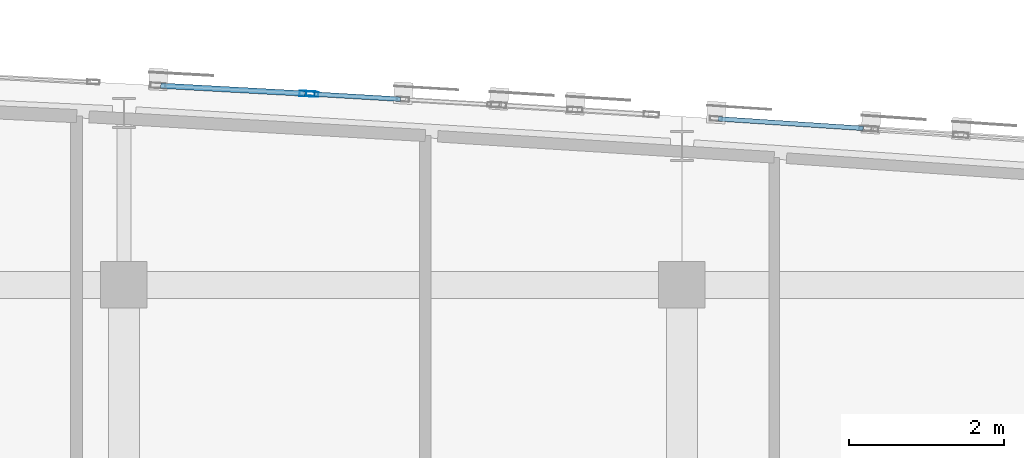
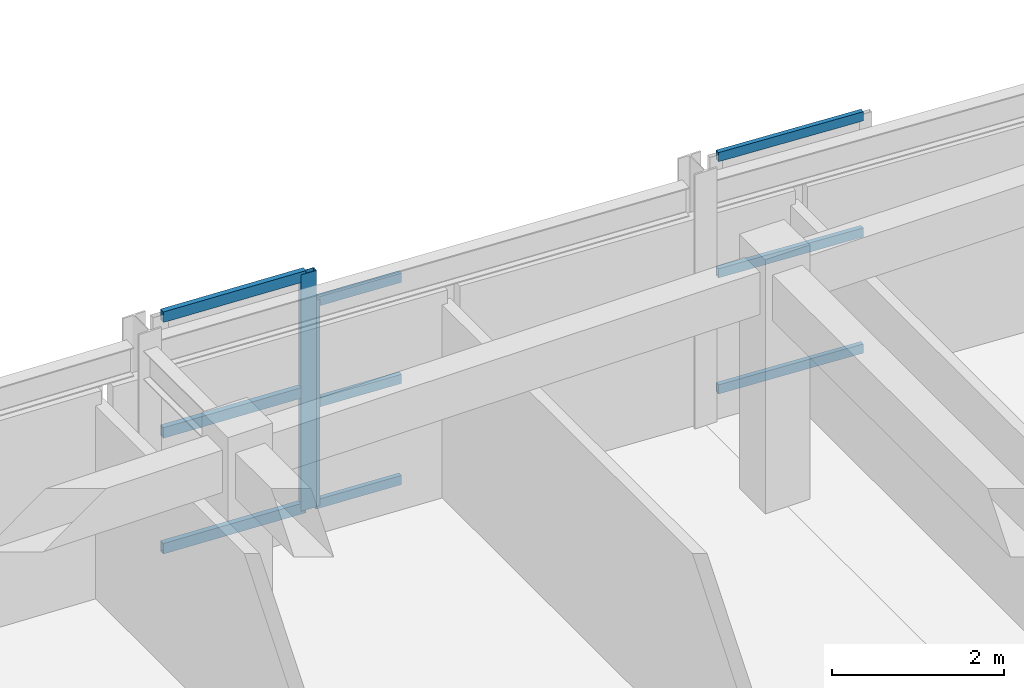
# One storey, part 23 of 50: 11 members, 3 elements without a shape of their own.
"""IFC4 building model written with IfcOpenShell, lengths in metres."""

from ifc_helpers import new_model, si_unit, direction, frame, origin, origin_2d, place, context, subcontext, project, spatial, hollow_rectangle, extrude, material, layer, layer_set, material_profile, profile_set, type_object, element, aggregate, save


model = new_model("IFC4")

# Units and contexts
model_context = context("Model", 3, precision=1e-05, world=origin(), true_north=direction((0.0, 1.0)))
body_context = subcontext(model_context, "Body", "Model", "MODEL_VIEW")
ifc_project = project(units=[si_unit("LENGTHUNIT", "METRE"), si_unit("AREAUNIT", "SQUARE_METRE"), si_unit("VOLUMEUNIT", "CUBIC_METRE"), si_unit("PLANEANGLEUNIT", "RADIAN"), si_unit("MASSUNIT", "GRAM", prefix="KILO")], contexts=[model_context])

# Site, building, storey
site_placement = place(None, origin())
site = spatial("IfcSite", under=ifc_project, at=site_placement, CompositionType="ELEMENT")
building_placement = place(site_placement, origin())
building = spatial("IfcBuilding", under=site, at=building_placement, Name="Carrowvane Square Congress Hotel", CompositionType="ELEMENT")
storey_placement = place(building_placement, frame((0.0, 0.0, 22.800048828125)))
storey = spatial("IfcBuildingStorey", under=building, at=storey_placement, Name="L05", CompositionType="ELEMENT", Elevation=22.800048828125)

# Curtain wall, member
ifc_material_1 = material(Name="Anodised aluminium", Category="aluminium")
ifc_layer_1 = layer(ifc_material_1, 0.23388671875)
ifc_layer_set_1 = layer_set([ifc_layer_1], Name="Anodised aluminium")
curtain_wall_type_1 = type_object("IfcCurtainWallType", Name="CW-SYS-7", PredefinedType="NOTDEFINED", material=ifc_layer_set_1)
curtain_wall_1_placement = place(storey_placement, origin())
curtain_wall_1 = element("IfcCurtainWall", 1, at=curtain_wall_1_placement, inside=storey, type_object=curtain_wall_type_1, Name="L05 unitised curtain wall 342", PredefinedType="NOTDEFINED")
ifc_material_2 = material(Name="Anodised aluminium", Category="aluminium")
ifc_material_profile_1 = material_profile(ifc_material_2, hollow_rectangle(XDim=0.06005859375, YDim=0.159912109375, WallThickness=0.00390625, at=origin_2d()), Name="CW-ML 60x160x4")
ifc_profile_set_1 = profile_set([ifc_material_profile_1], Name="Anodised aluminium")
member_type_1 = type_object("IfcMemberType", Name="CW-MUL-1", PredefinedType="MULLION", material=ifc_profile_set_1)
member_1_placement = place(storey_placement, frame((122.030029296875, 115.864013671875, 0.0), z_axis=(0.0, 0.0, 1.0), x_axis=(0.058851249486, 0.998266763162, 0.0)))
member_1 = element("IfcMember", 2, at=member_1_placement, type_object=member_type_1, Name="CW-7 mullion 1", PredefinedType="MULLION", context=body_context, shape_type="SweptSolid", body=[
    extrude(hollow_rectangle(XDim=0.06005859375, YDim=0.159912109375, WallThickness=0.00390625, at=origin_2d()), origin(), (0.0, 0.0, 1.0), 2.925537109375),
])

ifc_material_3 = material(Name="Anodised aluminium", Category="aluminium")
ifc_layer_2 = layer(ifc_material_3, 0.221923828125)
ifc_layer_set_2 = layer_set([ifc_layer_2], Name="Anodised aluminium")
curtain_wall_type_2 = type_object("IfcCurtainWallType", Name="CW-SYS-6", PredefinedType="NOTDEFINED", material=ifc_layer_set_2)
curtain_wall_2_placement = place(storey_placement, origin())
curtain_wall_2 = element("IfcCurtainWall", 3, at=curtain_wall_2_placement, inside=storey, type_object=curtain_wall_type_2, Name="L05 unitised curtain wall 341", PredefinedType="NOTDEFINED")
ifc_material_4 = material(Name="Anodised aluminium", Category="aluminium")
ifc_material_profile_2 = material_profile(ifc_material_4, hollow_rectangle(XDim=0.070068359375, YDim=0.199951171875, WallThickness=0.0048828125, at=origin_2d()), Name="CW-ML 70x200x5")
ifc_profile_set_2 = profile_set([ifc_material_profile_2], Name="Anodised aluminium")
member_type_2 = type_object("IfcMemberType", Name="CW-MUL-2", PredefinedType="MULLION", material=ifc_profile_set_2)
member_2_placement = place(storey_placement, frame((121.965087890625, 115.86767578125, 0.0), z_axis=(0.0, 0.0, 1.0), x_axis=(0.054815980317, 0.998496473856, 0.0)))
member_2 = element("IfcMember", 4, at=member_2_placement, type_object=member_type_2, Name="CW-6 mullion 2", PredefinedType="MULLION", context=body_context, shape_type="SweptSolid", body=[
    extrude(hollow_rectangle(XDim=0.070068359375, YDim=0.199951171875, WallThickness=0.0048828125, at=origin_2d()), origin(), (0.0, 0.0, 1.0), 3.349853515625),
])

# Member
ifc_material_5 = material(Name="Anodised aluminium", Category="aluminium")
ifc_material_profile_3 = material_profile(ifc_material_5, hollow_rectangle(XDim=0.06005859375, YDim=0.1298828125, WallThickness=0.00390625, at=origin_2d()), Name="CW-TR 60x130x4")
ifc_profile_set_3 = profile_set([ifc_material_profile_3], Name="Anodised aluminium")
member_type_3 = type_object("IfcMemberType", Name="CW-TRN-1", PredefinedType="USERDEFINED", material=ifc_profile_set_3)
member_3_placement = place(storey_placement, frame((122.059814453125, 115.8623046875, 0.030029296875), z_axis=(0.998268312803, -0.058824957747, 0.0), x_axis=(0.058824957747, 0.998268312803, 0.0)))
member_3 = element("IfcMember", 5, at=member_3_placement, type_object=member_type_3, Name="CW-7 transom 1.1", ObjectType="TRANSOM", PredefinedType="USERDEFINED", context=body_context, shape_type="SweptSolid", body=[
    extrude(hollow_rectangle(XDim=0.06005859375, YDim=0.1298828125, WallThickness=0.00390625, at=origin_2d()), origin(), (0.0, 0.0, 1.0), 1.1123046875),
])

member_4_placement = place(storey_placement, frame((122.059814453125, 115.8623046875, 1.462646484375), z_axis=(0.998268312803, -0.058824957747, 0.0), x_axis=(0.058824957747, 0.998268312803, 0.0)))
member_4 = element("IfcMember", 6, at=member_4_placement, type_object=member_type_3, Name="CW-7 transom 1.2", ObjectType="TRANSOM", PredefinedType="USERDEFINED", context=body_context, shape_type="SweptSolid", body=[
    extrude(hollow_rectangle(XDim=0.06005859375, YDim=0.1298828125, WallThickness=0.00390625, at=origin_2d()), origin(), (0.0, 0.0, 1.0), 1.1123046875),
])

member_5_placement = place(storey_placement, frame((122.059814453125, 115.8623046875, 2.8955078125), z_axis=(0.998268312803, -0.058824957747, 0.0), x_axis=(0.058824957747, 0.998268312803, 0.0)))
member_5 = element("IfcMember", 7, at=member_5_placement, type_object=member_type_3, Name="CW-7 transom 1.3", ObjectType="TRANSOM", PredefinedType="USERDEFINED", context=body_context, shape_type="SweptSolid", body=[
    extrude(hollow_rectangle(XDim=0.06005859375, YDim=0.1298828125, WallThickness=0.00390625, at=origin_2d()), origin(), (0.0, 0.0, 1.0), 1.1123046875),
])

aggregate(curtain_wall_1, [member_1, member_3, member_4, member_5])

# Curtain wall, members
ifc_material_6 = material(Name="Anodised aluminium", Category="aluminium")
ifc_layer_3 = layer(ifc_material_6, 0.162109375)
ifc_layer_set_3 = layer_set([ifc_layer_3], Name="Anodised aluminium")
curtain_wall_type_3 = type_object("IfcCurtainWallType", Name="CW-SYS-1", PredefinedType="NOTDEFINED", material=ifc_layer_set_3)
curtain_wall_3_placement = place(storey_placement, origin())
curtain_wall_3 = element("IfcCurtainWall", 8, at=curtain_wall_3_placement, inside=storey, type_object=curtain_wall_type_3, Name="L05 unitised curtain wall 344", PredefinedType="NOTDEFINED")
member_6_placement = place(storey_placement, frame((127.268310546875, 115.543701171875, 0.030029296875), z_axis=(0.997854858908, -0.065465109434, 0.0), x_axis=(0.065465109434, 0.997854858908, 0.0)))
member_6 = element("IfcMember", 9, at=member_6_placement, type_object=member_type_3, Name="CW-1 transom 1.1", ObjectType="TRANSOM", PredefinedType="USERDEFINED", context=body_context, shape_type="SweptSolid", body=[
    extrude(hollow_rectangle(XDim=0.06005859375, YDim=0.1298828125, WallThickness=0.00390625, at=origin_2d()), origin(), (0.0, 0.0, 1.0), 1.875732421875),
])
member_7_placement = place(storey_placement, frame((127.268310546875, 115.543701171875, 1.675048828125), z_axis=(0.997854858908, -0.065465109434, 0.0), x_axis=(0.065465109434, 0.997854858908, 0.0)))
member_7 = element("IfcMember", 10, at=member_7_placement, type_object=member_type_3, Name="CW-1 transom 1.2", ObjectType="TRANSOM", PredefinedType="USERDEFINED", context=body_context, shape_type="SweptSolid", body=[
    extrude(hollow_rectangle(XDim=0.06005859375, YDim=0.1298828125, WallThickness=0.00390625, at=origin_2d()), origin(), (0.0, 0.0, 1.0), 1.875732421875),
])
member_8_placement = place(storey_placement, frame((127.268310546875, 115.543701171875, 3.320068359375), z_axis=(0.997854858908, -0.065465109434, 0.0), x_axis=(0.065465109434, 0.997854858908, 0.0)))
member_8 = element("IfcMember", 11, at=member_8_placement, type_object=member_type_3, Name="CW-1 transom 1.3", ObjectType="TRANSOM", PredefinedType="USERDEFINED", context=body_context, shape_type="SweptSolid", body=[
    extrude(hollow_rectangle(XDim=0.06005859375, YDim=0.1298828125, WallThickness=0.00390625, at=origin_2d()), origin(), (0.0, 0.0, 1.0), 1.875732421875),
])
aggregate(curtain_wall_3, [member_6, member_7, member_8])

# Member
ifc_material_7 = material(Name="Anodised aluminium", Category="aluminium")
ifc_material_profile_4 = material_profile(ifc_material_7, hollow_rectangle(XDim=0.070068359375, YDim=0.14990234375, WallThickness=0.0048828125, at=origin_2d()), Name="CW-TR 70x150x5")
ifc_profile_set_4 = profile_set([ifc_material_profile_4], Name="Anodised aluminium")
member_type_4 = type_object("IfcMemberType", Name="CW-TRN-2", PredefinedType="USERDEFINED", material=ifc_profile_set_4)
member_9_placement = place(storey_placement, frame((120.074462890625, 115.971435546875, 0.034912109375), z_axis=(0.998498512711, -0.054778829075, 0.0), x_axis=(0.054778829075, 0.998498512711, 0.0)))
member_9 = element("IfcMember", 12, at=member_9_placement, type_object=member_type_4, Name="CW-6 transom 1.1", ObjectType="TRANSOM", PredefinedType="USERDEFINED", context=body_context, shape_type="SweptSolid", body=[
    extrude(hollow_rectangle(XDim=0.070068359375, YDim=0.14990234375, WallThickness=0.0048828125, at=origin_2d()), origin(), (0.0, 0.0, 1.0), 1.8583984375),
])

member_10_placement = place(storey_placement, frame((120.074462890625, 115.971435546875, 1.675048828125), z_axis=(0.998498512711, -0.054778829075, 0.0), x_axis=(0.054778829075, 0.998498512711, 0.0)))
member_10 = element("IfcMember", 13, at=member_10_placement, type_object=member_type_4, Name="CW-6 transom 1.2", ObjectType="TRANSOM", PredefinedType="USERDEFINED", context=body_context, shape_type="SweptSolid", body=[
    extrude(hollow_rectangle(XDim=0.070068359375, YDim=0.14990234375, WallThickness=0.0048828125, at=origin_2d()), origin(), (0.0, 0.0, 1.0), 1.8583984375),
])

member_11_placement = place(storey_placement, frame((120.074462890625, 115.971435546875, 3.31494140625), z_axis=(0.998498512711, -0.054778829075, 0.0), x_axis=(0.054778829075, 0.998498512711, 0.0)))
member_11 = element("IfcMember", 14, at=member_11_placement, type_object=member_type_4, Name="CW-6 transom 1.3", ObjectType="TRANSOM", PredefinedType="USERDEFINED", context=body_context, shape_type="SweptSolid", body=[
    extrude(hollow_rectangle(XDim=0.070068359375, YDim=0.14990234375, WallThickness=0.0048828125, at=origin_2d()), origin(), (0.0, 0.0, 1.0), 1.8583984375),
])

aggregate(curtain_wall_2, [member_2, member_9, member_10, member_11])

save(model, "model.ifc")
